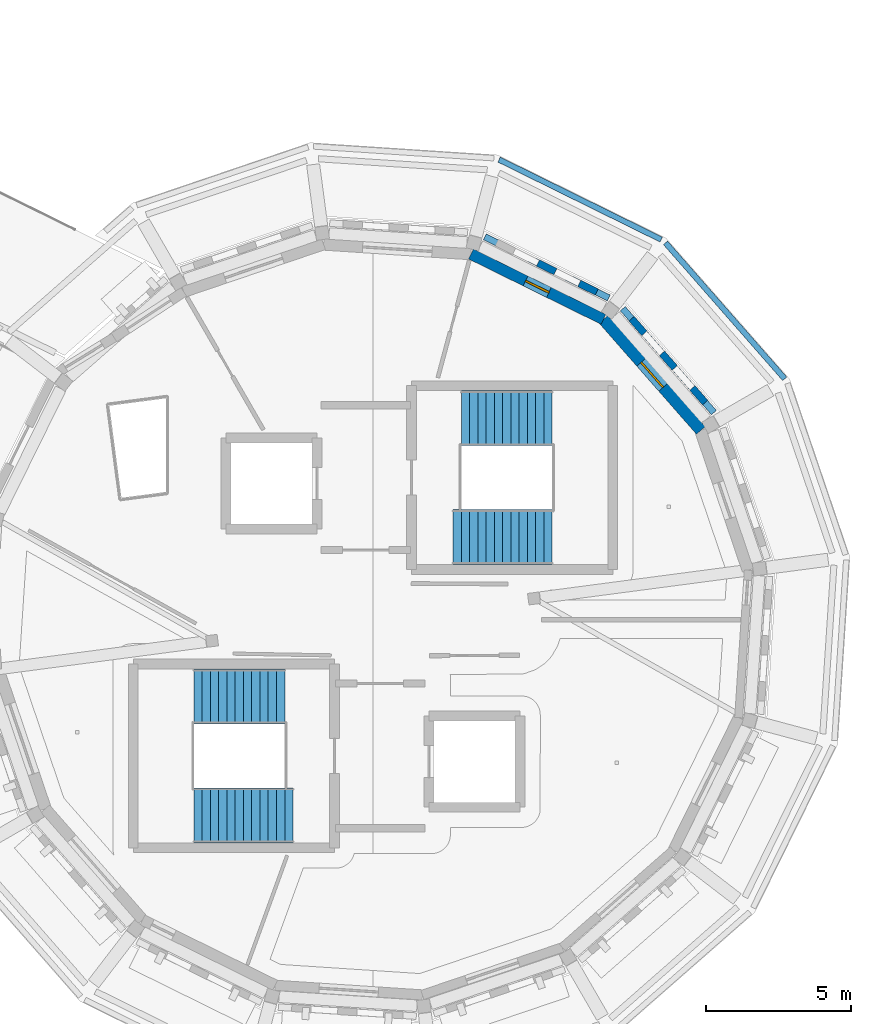
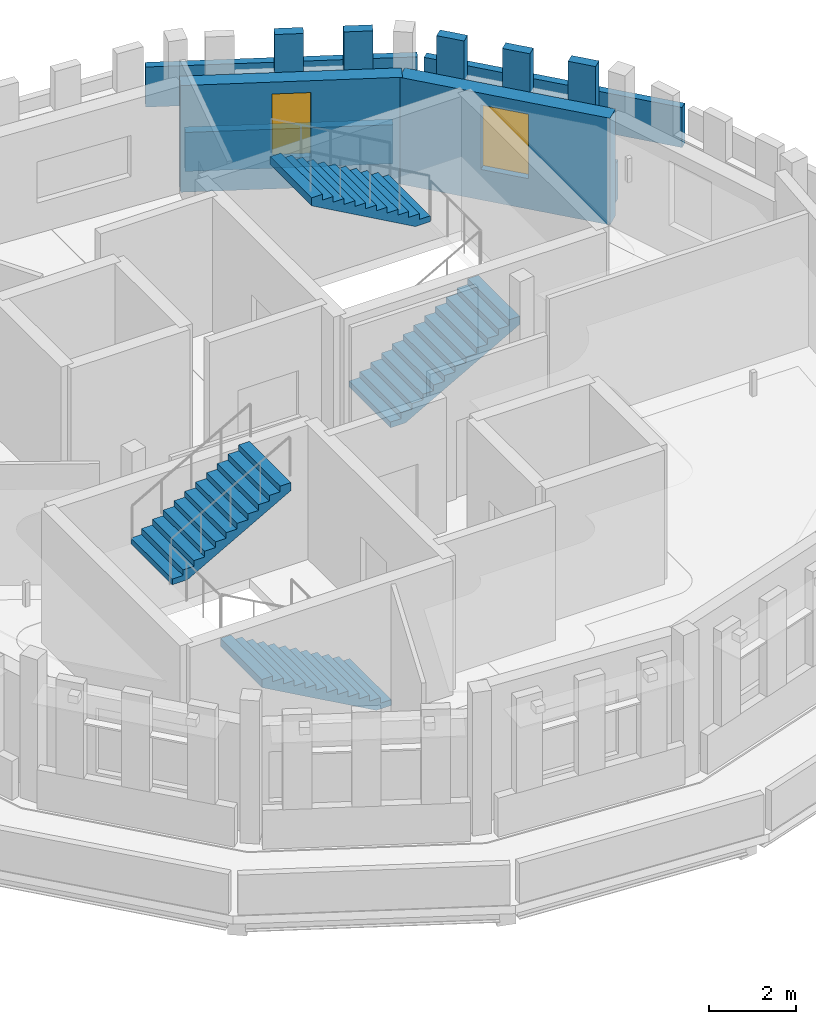
# One storey, part 45 of 51: 11 walls, 4 stair flights, 2 windows, 2 openings, 2 elements without a shape of their own.
"""IFC4 building model written with IfcOpenShell, lengths in metres."""

import ifcopenshell
import ifcopenshell.guid

model = None  # the IFC model being written
_history = None  # IfcOwnerHistory: only IFC2X3 demands one
_inside = {}  # id of a spatial element -> (the spatial element, [elements in it])
_under = {}  # id of a project, library or spatial element -> (it, [spatial elements below it])
_declared = {}  # id of a project -> (the project, [libraries it declares])
_typed = {}  # id of a type object -> (the type object, [elements of that type])
_made_of = {}  # id of a material, layer set ... -> (it, [elements and type objects made of it])


def new_model(schema):
    """Start an empty IFC model of exactly this schema.

    Asked for "IFC4X3", IfcOpenShell would pick the latest addendum, in which some entities
    have other attributes; the version numbers below select the first issue.
    IFC2X3 requires an IfcOwnerHistory on every rooted entity: one is made here for all.
    """
    global model, _history
    if schema == "IFC4X3":
        model = ifcopenshell.file(schema_version=(4, 3, 0, 0))
    else:
        model = ifcopenshell.file(schema=schema)
    _inside.clear()
    _under.clear()
    _declared.clear()
    _typed.clear()
    _made_of.clear()
    _history = None
    if model.schema == "IFC2X3":
        org = make("IfcOrganization", Name="unknown")
        user = make(
            "IfcPersonAndOrganization",
            ThePerson=make("IfcPerson", FamilyName="unknown"),
            TheOrganization=org,
        )
        app = make(
            "IfcApplication",
            ApplicationDeveloper=org,
            Version="unknown",
            ApplicationFullName="unknown",
            ApplicationIdentifier="unknown",
        )
        _history = make(
            "IfcOwnerHistory",
            OwningUser=user,
            OwningApplication=app,
            ChangeAction="ADDED",
            CreationDate=0,
        )
    return model


def make(cls, **values):
    """One entity of the class cls with the attributes given. An attribute that is None is left unset."""
    return model.create_entity(
        cls, **{name: value for name, value in values.items() if value is not None}
    )


def rooted(cls, **values):
    """An entity with a GlobalId (a new one), such as an element, a storey or a relation."""
    return make(cls, GlobalId=ifcopenshell.guid.new(), OwnerHistory=_history, **values)


def si_unit(unit_type, name, prefix=None):
    """IfcSIUnit, for example si_unit("LENGTHUNIT", "METRE", prefix="MILLI")."""
    return make("IfcSIUnit", UnitType=unit_type, Prefix=prefix, Name=name)


def assignment(units):
    """IfcUnitAssignment: the units of a project."""
    return None if units is None else make("IfcUnitAssignment", Units=units)


def point(xyz):
    """IfcCartesianPoint."""
    return None if xyz is None else make("IfcCartesianPoint", Coordinates=xyz)


def direction(xyz):
    """IfcDirection."""
    return None if xyz is None else make("IfcDirection", DirectionRatios=xyz)


def frame(location, z_axis=None, x_axis=None):
    """IfcAxis2Placement3D, a coordinate frame: its origin and axes. An axis left out is left unset."""
    return make(
        "IfcAxis2Placement3D",
        Location=point(location),
        Axis=direction(z_axis),
        RefDirection=direction(x_axis),
    )


def frame_2d(location, x_axis=None):
    """IfcAxis2Placement2D, a coordinate frame in the plane: its origin and x axis."""
    return make(
        "IfcAxis2Placement2D", Location=point(location), RefDirection=direction(x_axis)
    )


def origin():
    """The frame at (0, 0, 0) with its axes left unset."""
    return frame((0.0, 0.0, 0.0))


def place(relative_to, where):
    """IfcLocalPlacement: puts the frame where relative to a parent placement (None: the world)."""
    return make(
        "IfcLocalPlacement", PlacementRelTo=relative_to, RelativePlacement=where
    )


def context(
    kind, dimensions, precision=None, world=None, true_north=None, identifier=None
):
    """IfcGeometricRepresentationContext, for example the 3D "Model" context."""
    return make(
        "IfcGeometricRepresentationContext",
        ContextIdentifier=identifier,
        ContextType=kind,
        CoordinateSpaceDimension=dimensions,
        Precision=precision,
        WorldCoordinateSystem=world,
        TrueNorth=true_north,
    )


def subcontext(parent, identifier, kind, view, scale=None):
    """IfcGeometricRepresentationSubContext, for example "Body" below "Model"."""
    return make(
        "IfcGeometricRepresentationSubContext",
        ContextIdentifier=identifier,
        ContextType=kind,
        ParentContext=parent,
        TargetScale=scale,
        TargetView=view,
    )


def project(units=None, contexts=None):
    """IfcProject with its units and contexts."""
    return rooted(
        "IfcProject",
        Name="project",
        RepresentationContexts=contexts,
        UnitsInContext=assignment(units),
    )


def spatial(cls, under=None, at=None, **own):
    """A site, building, storey or space (cls), placed at a placement, below another one or the project."""
    s = rooted(cls, ObjectPlacement=at, **own)
    if under is not None:
        _under.setdefault(under.id(), (under, []))[1].append(s)
    return s


def polyline(points):
    """IfcPolyline through the points."""
    return make("IfcPolyline", Points=[point(p) for p in points])


def profile(cls, at=None, kind="AREA", **sizes):
    """A parametric profile (cls). Its sizes go by their IFC names, for example OverallWidth=200.0."""
    return make(cls, ProfileType=kind, Position=at, **sizes)


def rectangle(**sizes):
    """IfcRectangleProfileDef."""
    return profile("IfcRectangleProfileDef", **sizes)


def outline(outer, holes=None, kind="AREA"):
    """IfcArbitraryClosedProfileDef: a profile drawn as a closed curve; with holes, ...WithVoids."""
    if holes is None:
        return make("IfcArbitraryClosedProfileDef", ProfileType=kind, OuterCurve=outer)
    return make(
        "IfcArbitraryProfileDefWithVoids",
        ProfileType=kind,
        OuterCurve=outer,
        InnerCurves=holes,
    )


def extrude(swept, where, along, depth):
    """IfcExtrudedAreaSolid: the profile swept, set in the frame where, extruded along a direction by depth."""
    return make(
        "IfcExtrudedAreaSolid",
        SweptArea=swept,
        Position=where,
        ExtrudedDirection=direction(along),
        Depth=depth,
    )


def shape(context_of_items, identifier, shape_type, items):
    """IfcShapeRepresentation: the items that make up one representation, for example the "Body"."""
    return make(
        "IfcShapeRepresentation",
        ContextOfItems=context_of_items,
        RepresentationIdentifier=identifier,
        RepresentationType=shape_type,
        Items=items,
    )


def material(Name=None, Category=None):
    """IfcMaterial."""
    return make("IfcMaterial", Name=Name, Category=Category)


def layer(
    of_material, thickness, ventilated=None, Name=None, Category=None, Priority=None
):
    """IfcMaterialLayer: one layer of a wall or slab, of a material (None: an air gap)."""
    return make(
        "IfcMaterialLayer",
        Material=of_material,
        LayerThickness=thickness,
        IsVentilated=ventilated,
        Name=Name,
        Category=Category,
        Priority=Priority,
    )


def layer_set(layers, Name=None):
    """IfcMaterialLayerSet."""
    return make("IfcMaterialLayerSet", MaterialLayers=layers, LayerSetName=Name)


def made_of(thing, what):
    """Note that an element or type object is made of a material, layer set ...; save() writes the relation."""
    if what is not None:
        _made_of.setdefault(what.id(), (what, []))[1].append(thing)
    return thing


def type_object(cls, material=None, **own):
    """A type object (cls), such as IfcWallType, which elements share."""
    return made_of(rooted(cls, **own), material)


def element(
    cls,
    number,
    at=None,
    inside=None,
    cuts=None,
    type_object=None,
    material=None,
    context=None,
    identifier="Body",
    shape_type=None,
    held_by="IfcProductDefinitionShape",
    body=None,
    shapes=None,
    **own,
):
    """One element of the class cls, such as IfcWall. Its Tag is "e" and its number.

    at: its placement. inside: the storey or other place that contains it. cuts: it is an
    opening in that element (IfcRelVoidsElement). A single representation is given by context,
    identifier, shape_type and body (its items); several are given by shapes. held_by: the class
    of the entity that holds the representations. save() writes the other relations.
    """
    e = rooted(cls, Tag="e%d" % number, ObjectPlacement=at, **own)
    if body is not None:
        shapes = [shape(context, identifier, shape_type, body)]
    if shapes is not None:
        e.Representation = make(held_by, Representations=shapes)
    if inside is not None:
        _inside.setdefault(inside.id(), (inside, []))[1].append(e)
    if cuts is not None:
        rooted(
            "IfcRelVoidsElement", RelatingBuildingElement=cuts, RelatedOpeningElement=e
        )
    if type_object is not None:
        _typed.setdefault(type_object.id(), (type_object, []))[1].append(e)
    return made_of(e, material)


def fill(opening, filler):
    """IfcRelFillsElement: the door or window that sits in an opening."""
    return rooted(
        "IfcRelFillsElement",
        RelatingOpeningElement=opening,
        RelatedBuildingElement=filler,
    )


def aggregate(whole, parts):
    """IfcRelAggregates: a whole, such as a stair, and the parts it consists of."""
    return rooted("IfcRelAggregates", RelatingObject=whole, RelatedObjects=parts)


def save(model, path):
    """Write the relations noted so far, then the file.

    IfcRelAggregates (storeys below a building ...), IfcRelContainedInSpatialStructure (elements
    in a storey), IfcRelDefinesByType, IfcRelAssociatesMaterial and IfcRelDeclares: one each for
    every whole, place, type object, material and project.
    """
    for whole, parts in _under.values():
        aggregate(whole, parts)
    for where, things in _inside.values():
        rooted(
            "IfcRelContainedInSpatialStructure",
            RelatedElements=things,
            RelatingStructure=where,
        )
    for kind, things in _typed.values():
        rooted("IfcRelDefinesByType", RelatedObjects=things, RelatingType=kind)
    for what, things in _made_of.values():
        rooted("IfcRelAssociatesMaterial", RelatedObjects=things, RelatingMaterial=what)
    for by, libraries in _declared.values():
        rooted("IfcRelDeclares", RelatingContext=by, RelatedDefinitions=libraries)
    model.write(path)


model = new_model("IFC4")

# Units and contexts
model_context = context("Model", 3, precision=1e-05, world=origin(), true_north=direction((0.0, 1.0)))
body_context = subcontext(model_context, "Body", "Model", "MODEL_VIEW")
ifc_project = project(units=[si_unit("LENGTHUNIT", "METRE"), si_unit("AREAUNIT", "SQUARE_METRE"), si_unit("VOLUMEUNIT", "CUBIC_METRE"), si_unit("PLANEANGLEUNIT", "RADIAN"), si_unit("MASSUNIT", "GRAM", prefix="KILO")], contexts=[model_context])

# Site, building, storey
site_placement = place(None, origin())
site = spatial("IfcSite", under=ifc_project, at=site_placement, CompositionType="ELEMENT")
building_placement = place(site_placement, origin())
building = spatial("IfcBuilding", under=site, at=building_placement, Name="Wrenclough Park School", CompositionType="ELEMENT")
storey_placement = place(building_placement, frame((0.0, 0.0, 16.800048828125)))
storey = spatial("IfcBuildingStorey", under=building, at=storey_placement, Name="L04", CompositionType="ELEMENT", Elevation=16.800048828125)

# Walls
ifc_material_1 = material(Name="Perforated open-bond Staffordshire and Manchester brick screen pier", Category="masonry")
ifc_layer_1 = layer(ifc_material_1, 0.2451171875)
ifc_layer_set_1 = layer_set([ifc_layer_1], Name="Perforated open-bond Staffordshire and Manchester brick screen pier")
wall_type_1 = type_object("IfcWallType", Name="ENV-BS-PR245", PredefinedType="ELEMENTEDWALL", material=ifc_layer_set_1)
wall_1_placement = place(storey_placement, frame((185.956298828125, 100.989013671875, 1.08984375), z_axis=(0.0, 0.0, 1.0), x_axis=(-0.659358090425, 0.751829042131, 0.0)))
element("IfcWall", 1, at=wall_1_placement, inside=storey, type_object=wall_type_1, Name="D5 L04 perforated brick screen pier 0965", PredefinedType="ELEMENTEDWALL", context=body_context, shape_type="SweptSolid", body=[
    extrude(rectangle(XDim=0.66796875, YDim=0.2451171875, at=frame_2d((0.333984375, 0.0))), origin(), (0.0, 0.0, 1.0), 2.650146484375),
])
wall_2_placement = place(storey_placement, frame((184.908203125, 102.183837890625, 1.08984375), z_axis=(0.0, 0.0, 1.0), x_axis=(-0.659151419206, 0.752010243653, 0.0)))
element("IfcWall", 2, at=wall_2_placement, inside=storey, type_object=wall_type_1, Name="D5 L04 perforated brick screen pier 0966", PredefinedType="ELEMENTEDWALL", context=body_context, shape_type="SweptSolid", body=[
    extrude(rectangle(XDim=0.667724609375, YDim=0.2451171875, at=frame_2d((0.333984375, 0.0))), origin(), (0.0, 0.0, 1.0), 2.650146484375),
])
for number, where, z_axis, x_axis, name in (
    (3, (183.8603515625, 103.378662109375, 1.08984375), (0.0, 0.0, 1.0), (-0.659358090425, 0.751829042131, 0.0), "D5 L04 perforated brick screen pier 0967"),
    (4, (182.21826171875, 104.802978515625, 1.08984375), (0.0, 0.0, 1.0), (-0.896898673202, 0.442236102109, 0.0), "D5 L04 perforated brick screen pier 0968"),
    (5, (180.79296875, 105.505859375, 1.08984375), (0.0, 0.0, 1.0), (-0.896898673202, 0.442236102109, 0.0), "D5 L04 perforated brick screen pier 0969"),
):
    element("IfcWall", number, at=place(storey_placement, frame(where, z_axis=z_axis, x_axis=x_axis)), inside=storey, type_object=wall_type_1, Name=name, PredefinedType="ELEMENTEDWALL", context=body_context, shape_type="SweptSolid", body=[
        extrude(rectangle(XDim=0.66796875, YDim=0.2451171875, at=frame_2d((0.333984375, 0.0))), origin(), (0.0, 0.0, 1.0), 2.650146484375),
    ])
ifc_material_2 = material(Name="Open-bond Manchester multi-stock brick spandrel screen", Category="masonry")
ifc_layer_2 = layer(ifc_material_2, 0.22509765625)
ifc_layer_set_2 = layer_set([ifc_layer_2], Name="Open-bond Manchester multi-stock brick spandrel screen")
wall_type_2 = type_object("IfcWallType", Name="ENV-BS-SP225", PredefinedType="ELEMENTEDWALL", material=ifc_layer_set_2)
for number, where, z_axis, x_axis, name in (
    (6, (186.260009765625, 100.642578125, 0.0), (0.0, 0.0, 1.0), (-0.659356078342, 0.751830806733, 0.0), "D5 L04 open-bond brick screen spandrel 0267"),
    (7, (182.631591796875, 104.59912109375, 0.0), (0.0, 0.0, 1.0), (-0.896871427047, 0.442291355722, 0.0), "D5 L04 open-bond brick screen spandrel 0268"),
):
    element("IfcWall", number, at=place(storey_placement, frame(where, z_axis=z_axis, x_axis=x_axis)), inside=storey, type_object=wall_type_2, Name=name, PredefinedType="ELEMENTEDWALL", context=body_context, shape_type="SweptSolid", body=[
        extrude(rectangle(XDim=4.76806640625, YDim=0.22509765625, at=frame_2d((2.384033203125, 0.0))), origin(), (0.0, 0.0, 1.0), 1.08984375),
    ])

# Wall, opening, window
ifc_material_3 = material(Name="Manchester multi-stock brick and Concrete C35/45 inner leaf", Category="masonry")
ifc_layer_3 = layer(ifc_material_3, 0.3798828125)
ifc_layer_set_3 = layer_set([ifc_layer_3], Name="Manchester multi-stock brick and Concrete C35/45 inner leaf")
wall_type_3 = type_object("IfcWallType", Name="ENV-EW-380", PredefinedType="SOLIDWALL", material=ifc_layer_set_3)
wall_3_placement = place(storey_placement, frame((177.87939453125, 106.11279296875, 0.0), z_axis=(0.0, 0.0, 1.0), x_axis=(0.896885971635, -0.442261861213, 0.0)))
wall_3 = element("IfcWall", 8, at=wall_3_placement, inside=storey, type_object=wall_type_3, Name="L04 insulated brick external wall 0347", PredefinedType="SOLIDWALL", context=body_context, shape_type="SweptSolid", body=[
    extrude(rectangle(XDim=5.09521484375, YDim=0.3798828125, at=frame_2d((2.547607421875, 0.0))), origin(), (0.0, 0.0, 1.0), 2.98193359375),
])
opening_1_placement = place(wall_3_placement, frame((2.097412109375, 0.0, 0.85009765625)))
opening_1 = element("IfcOpeningElement", 9, at=opening_1_placement, cuts=wall_3, Name="Opening WN-25", PredefinedType="OPENING", context=body_context, shape_type="SweptSolid", body=[
    extrude(rectangle(XDim=0.89990234375, YDim=1.800048828125, at=frame_2d((0.449951171875, 0.89990234375))), frame((0.0, 0.199951171875, 0.0), z_axis=(0.0, -1.0, 0.0), x_axis=(1.0, 0.0, 0.0)), (0.0, 0.0, 1.0), 0.39990234375),
])
ifc_material_4 = material(Name="Thermally broken aluminium and double-glazed low-e glass", Category="aluminium")
window_type_1 = type_object("IfcWindowType", Name="ENV-WN-25", PartitioningType="SINGLE_PANEL", PredefinedType="WINDOW", material=ifc_material_4)
window_1_placement = place(opening_1_placement, origin())
window_1 = element("IfcWindow", 10, at=window_1_placement, inside=storey, type_object=window_type_1, Name="L04 scheduled facade window 0584", OverallHeight=1.800048828125, OverallWidth=0.89990234375, PartitioningType="SINGLE_PANEL", PredefinedType="WINDOW", context=body_context, shape_type="SweptSolid", body=[
    extrude(rectangle(XDim=0.89990234375, YDim=1.800048828125, at=frame_2d((0.449951171875, 0.89990234375))), frame((0.0, 0.030029296875, 0.0), z_axis=(0.0, -1.0, 0.0), x_axis=(1.0, 0.0, 0.0)), (0.0, 0.0, 1.0), 0.06005859375),
])
fill(opening_1, window_1)

ifc_material_5 = material(Name="Staffordshire blue-grey brick and Concrete C40/50 acoustic leaf", Category="masonry")
ifc_layer_4 = layer(ifc_material_5, 0.39990234375)
ifc_layer_set_4 = layer_set([ifc_layer_4], Name="Staffordshire blue-grey brick and Concrete C40/50 acoustic leaf")
wall_type_4 = type_object("IfcWallType", Name="ENV-EW-400", PredefinedType="SOLIDWALL", material=ifc_layer_set_4)
wall_4_placement = place(storey_placement, frame((182.44921875, 103.859375, 0.0), z_axis=(0.0, 0.0, 1.0), x_axis=(0.659325209533, -0.751857877577, 0.0)))
wall_4 = element("IfcWall", 11, at=wall_4_placement, inside=storey, type_object=wall_type_4, Name="L04 insulated brick external wall 0348", PredefinedType="SOLIDWALL", context=body_context, shape_type="SweptSolid", body=[
    extrude(rectangle(XDim=5.0947265625, YDim=0.39990234375, at=frame_2d((2.54736328125, 0.0))), origin(), (0.0, 0.0, 1.0), 2.98193359375),
])
opening_2_placement = place(wall_4_placement, frame((1.972412109375, 0.0, 0.85009765625)))
opening_2 = element("IfcOpeningElement", 12, at=opening_2_placement, cuts=wall_4, Name="Opening WN-26", PredefinedType="OPENING", context=body_context, shape_type="SweptSolid", body=[
    extrude(rectangle(XDim=1.14990234375, YDim=1.800048828125, at=frame_2d((0.574951171875, 0.89990234375))), frame((0.0, 0.2099609375, 0.0), z_axis=(0.0, -1.0, 0.0), x_axis=(1.0, 0.0, 0.0)), (0.0, 0.0, 1.0), 0.419921875),
])
window_type_2 = type_object("IfcWindowType", Name="ENV-WN-26", PartitioningType="SINGLE_PANEL", PredefinedType="WINDOW", material=ifc_material_4)
window_2_placement = place(opening_2_placement, origin())
window_2 = element("IfcWindow", 13, at=window_2_placement, inside=storey, type_object=window_type_2, Name="L04 scheduled facade window 0585", OverallHeight=1.800048828125, OverallWidth=1.14990234375, PartitioningType="SINGLE_PANEL", PredefinedType="WINDOW", context=body_context, shape_type="SweptSolid", body=[
    extrude(rectangle(XDim=1.14990234375, YDim=1.800048828125, at=frame_2d((0.574951171875, 0.89990234375))), frame((0.0, 0.030029296875, 0.0), z_axis=(0.0, -1.0, 0.0), x_axis=(1.0, 0.0, 0.0)), (0.0, 0.0, 1.0), 0.06005859375),
])
fill(opening_2, window_2)

# Walls
ifc_material_6 = material(Name="Patinated copper-coped link roof parapet", Category="masonry")
ifc_layer_5 = layer(ifc_material_6, 0.18994140625)
ifc_layer_set_5 = layer_set([ifc_layer_5], Name="Patinated copper-coped link roof parapet")
wall_type_5 = type_object("IfcWallType", Name="ENV-PW-190", PredefinedType="PARAPET", material=ifc_layer_set_5)
for number, where, z_axis, x_axis, name in (
    (14, (188.702880859375, 101.807861328125, 0.0), (0.0, 0.0, 1.0), (-0.659343891738, 0.751841494218, 0.0), "D5-STEP-ROOF cylindrical drum parapet wall 065"),
    (15, (184.4423828125, 106.610595703125, 0.0), (0.0, 0.0, 1.0), (-0.896871934116, 0.442290327495, 0.0), "D5-STEP-ROOF cylindrical drum parapet wall 066"),
):
    element("IfcWall", number, at=place(storey_placement, frame(where, z_axis=z_axis, x_axis=x_axis)), inside=storey, type_object=wall_type_5, Name=name, PredefinedType="PARAPET", context=body_context, shape_type="SweptSolid", body=[
        extrude(rectangle(XDim=6.237060546875, YDim=0.18994140625, at=frame_2d((3.11865234375, 0.0))), origin(), (0.0, 0.0, 1.0), 1.119873046875),
    ])

# Stair, stair flights
ifc_material_7 = material(Name="Precast concrete C40/50", Category="concrete")
stair_type = type_object("IfcStairType", Name="INT-ST-190-40", PredefinedType="HALF_TURN_STAIR", material=ifc_material_7)
stair_1_placement = place(storey_placement, origin())
stair_1 = element("IfcStair", 16, at=stair_1_placement, inside=storey, type_object=stair_type, Name="L04 escape stair ST-05", PredefinedType="HALF_TURN_STAIR")
stair_flight_type = type_object("IfcStairFlightType", Name="INT-FL-190-160", PredefinedType="STRAIGHT", material=ifc_material_7)
stair_flight_1_placement = place(storey_placement, frame((171.739990234375, 86.75, 0.0), z_axis=(0.0, 0.0, 1.0), x_axis=(-1.0, 0.0, 0.0)))
stair_flight_1 = element("IfcStairFlight", 17, at=stair_flight_1_placement, type_object=stair_flight_type, Name="ST-05 flight 1", NumberOfRisers=13, NumberOfTreads=12, PredefinedType="STRAIGHT", RiserHeight=0.16, TreadLength=0.285, context=body_context, shape_type="SweptSolid", body=[
    extrude(outline(polyline([(0.0, 0.0), (0.0, 0.159912109375), (0.284912109375, 0.159912109375), (0.284912109375, 0.320068359375), (0.570068359375, 0.320068359375), (0.570068359375, 0.47998046875), (0.85498046875, 0.47998046875), (0.85498046875, 0.639892578125), (1.139892578125, 0.639892578125), (1.139892578125, 0.800048828125), (1.425048828125, 0.800048828125), (1.425048828125, 0.9599609375), (1.7099609375, 0.9599609375), (1.7099609375, 1.1201171875), (1.9951171875, 1.1201171875), (1.9951171875, 1.280029296875), (2.280029296875, 1.280029296875), (2.280029296875, 1.43994140625), (2.56494140625, 1.43994140625), (2.56494140625, 1.60009765625), (2.85009765625, 1.60009765625), (2.85009765625, 1.760009765625), (3.135009765625, 1.760009765625), (3.135009765625, 1.919921875), (3.419921875, 1.919921875), (3.419921875, 2.080078125), (3.419921875, 1.6962890625), (0.3984375, 0.0), (0.0, 0.0)])), frame((0.0, 0.949951171875, 0.0), z_axis=(0.0, -1.0, 0.0), x_axis=(1.0, 0.0, 0.0)), (0.0, 0.0, 1.0), 1.89990234375),
])
stair_flight_2_placement = place(storey_placement, frame((168.320068359375, 90.85009765625, 2.079833984375), z_axis=(0.0, 0.0, 1.0), x_axis=(1.0, 0.0, 0.0)))
stair_flight_2 = element("IfcStairFlight", 18, at=stair_flight_2_placement, type_object=stair_flight_type, Name="ST-05 flight 2", NumberOfRisers=12, NumberOfTreads=11, PredefinedType="STRAIGHT", RiserHeight=0.16, TreadLength=0.285, context=body_context, shape_type="SweptSolid", body=[
    extrude(outline(polyline([(0.0, 0.0), (0.0, 0.159912109375), (0.284912109375, 0.159912109375), (0.284912109375, 0.320068359375), (0.570068359375, 0.320068359375), (0.570068359375, 0.47998046875), (0.85498046875, 0.47998046875), (0.85498046875, 0.639892578125), (1.139892578125, 0.639892578125), (1.139892578125, 0.800048828125), (1.425048828125, 0.800048828125), (1.425048828125, 0.9599609375), (1.7099609375, 0.9599609375), (1.7099609375, 1.1201171875), (1.9951171875, 1.1201171875), (1.9951171875, 1.280029296875), (2.280029296875, 1.280029296875), (2.280029296875, 1.43994140625), (2.56494140625, 1.43994140625), (2.56494140625, 1.60009765625), (2.85009765625, 1.60009765625), (2.85009765625, 1.760009765625), (3.135009765625, 1.760009765625), (3.135009765625, 1.919921875), (3.135009765625, 1.536376953125), (0.3984375, 0.0), (0.0, 0.0)])), frame((0.0, 0.949951171875, 0.0), z_axis=(0.0, -1.0, 0.0), x_axis=(1.0, 0.0, 0.0)), (0.0, 0.0, 1.0), 1.89990234375),
])
aggregate(stair_1, [stair_flight_1, stair_flight_2])

stair_2_placement = place(storey_placement, origin())
stair_2 = element("IfcStair", 19, at=stair_2_placement, inside=storey, type_object=stair_type, Name="L04 escape stair ST-06", PredefinedType="HALF_TURN_STAIR")
stair_flight_3_placement = place(storey_placement, frame((177.260009765625, 96.35009765625, 0.0), z_axis=(0.0, 0.0, 1.0), x_axis=(1.0, 0.0, 0.0)))
stair_flight_3 = element("IfcStairFlight", 20, at=stair_flight_3_placement, type_object=stair_flight_type, Name="ST-06 flight 1", NumberOfRisers=13, NumberOfTreads=12, PredefinedType="STRAIGHT", RiserHeight=0.16, TreadLength=0.285, context=body_context, shape_type="SweptSolid", body=[
    extrude(outline(polyline([(0.0, 0.0), (0.0, 0.159912109375), (0.284912109375, 0.159912109375), (0.284912109375, 0.320068359375), (0.570068359375, 0.320068359375), (0.570068359375, 0.47998046875), (0.85498046875, 0.47998046875), (0.85498046875, 0.639892578125), (1.139892578125, 0.639892578125), (1.139892578125, 0.800048828125), (1.425048828125, 0.800048828125), (1.425048828125, 0.9599609375), (1.7099609375, 0.9599609375), (1.7099609375, 1.1201171875), (1.9951171875, 1.1201171875), (1.9951171875, 1.280029296875), (2.280029296875, 1.280029296875), (2.280029296875, 1.43994140625), (2.56494140625, 1.43994140625), (2.56494140625, 1.60009765625), (2.85009765625, 1.60009765625), (2.85009765625, 1.760009765625), (3.135009765625, 1.760009765625), (3.135009765625, 1.919921875), (3.419921875, 1.919921875), (3.419921875, 2.080078125), (3.419921875, 1.6962890625), (0.3984375, 0.0), (0.0, 0.0)])), frame((0.0, 0.949951171875, 0.0), z_axis=(0.0, -1.0, 0.0), x_axis=(1.0, 0.0, 0.0)), (0.0, 0.0, 1.0), 1.89990234375),
])
stair_flight_4_placement = place(storey_placement, frame((180.679931640625, 100.449951171875, 2.079833984375), z_axis=(0.0, 0.0, 1.0), x_axis=(-1.0, 0.0, 0.0)))
stair_flight_4 = element("IfcStairFlight", 21, at=stair_flight_4_placement, type_object=stair_flight_type, Name="ST-06 flight 2", NumberOfRisers=12, NumberOfTreads=11, PredefinedType="STRAIGHT", RiserHeight=0.16, TreadLength=0.285, context=body_context, shape_type="SweptSolid", body=[
    extrude(outline(polyline([(0.0, 0.0), (0.0, 0.159912109375), (0.284912109375, 0.159912109375), (0.284912109375, 0.320068359375), (0.570068359375, 0.320068359375), (0.570068359375, 0.47998046875), (0.85498046875, 0.47998046875), (0.85498046875, 0.639892578125), (1.139892578125, 0.639892578125), (1.139892578125, 0.800048828125), (1.425048828125, 0.800048828125), (1.425048828125, 0.9599609375), (1.7099609375, 0.9599609375), (1.7099609375, 1.1201171875), (1.9951171875, 1.1201171875), (1.9951171875, 1.280029296875), (2.280029296875, 1.280029296875), (2.280029296875, 1.43994140625), (2.56494140625, 1.43994140625), (2.56494140625, 1.60009765625), (2.85009765625, 1.60009765625), (2.85009765625, 1.760009765625), (3.135009765625, 1.760009765625), (3.135009765625, 1.919921875), (3.135009765625, 1.536376953125), (0.3984375, 0.0), (0.0, 0.0)])), frame((0.0, 0.949951171875, 0.0), z_axis=(0.0, -1.0, 0.0), x_axis=(1.0, 0.0, 0.0)), (0.0, 0.0, 1.0), 1.89990234375),
])
aggregate(stair_2, [stair_flight_3, stair_flight_4])

save(model, "model.ifc")
